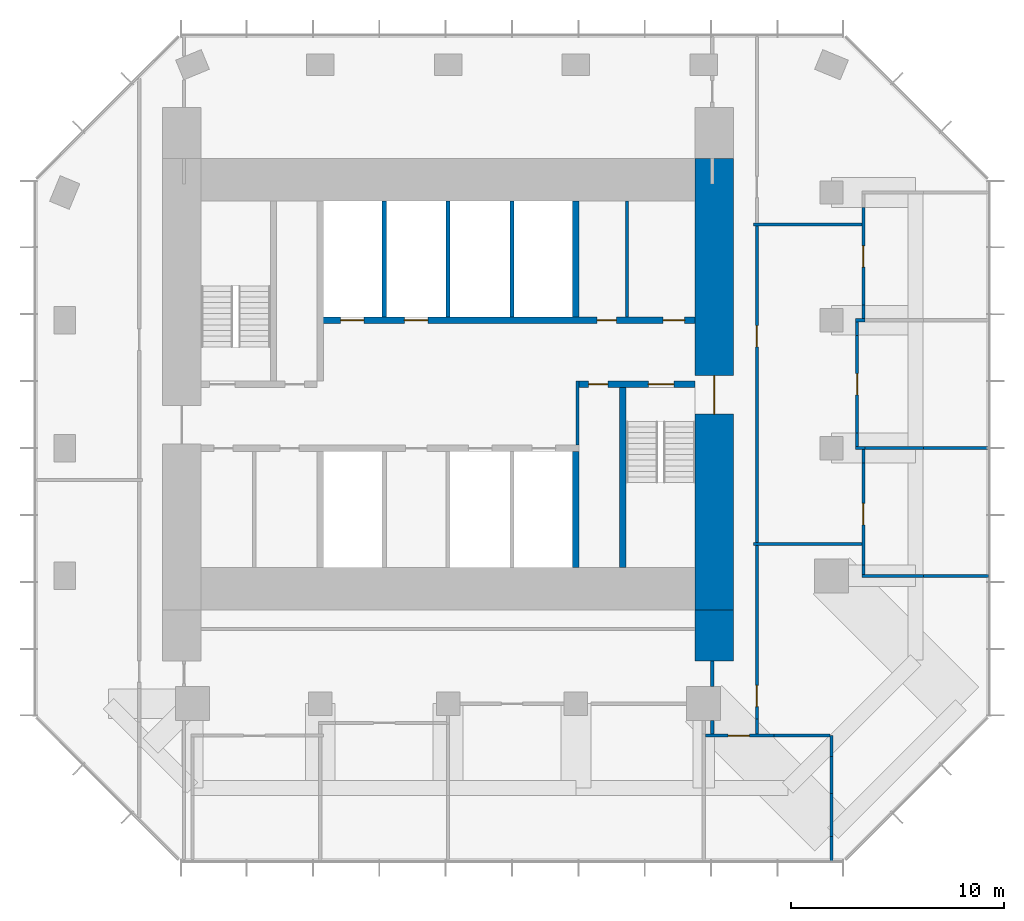
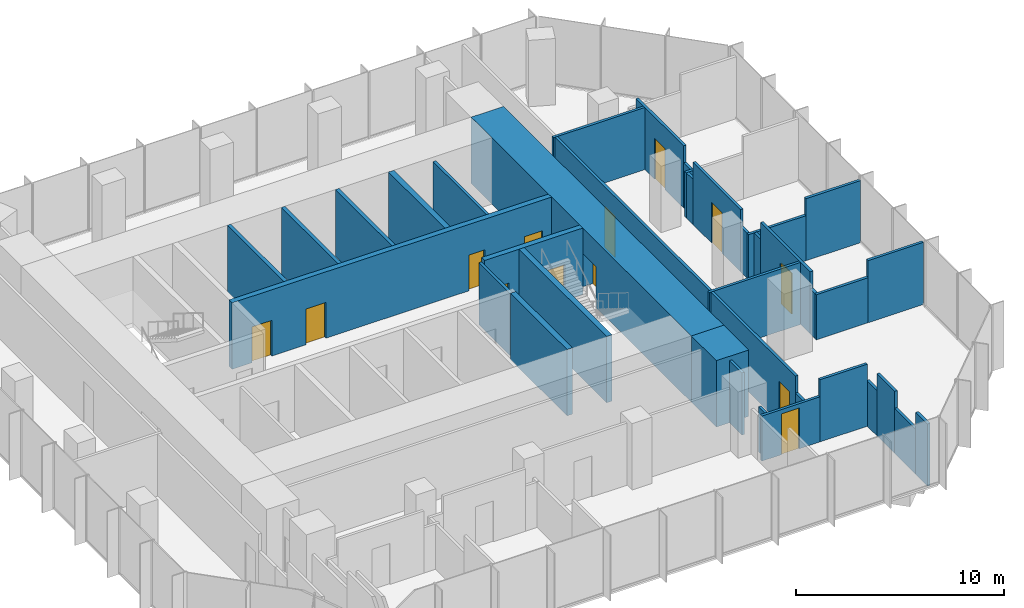
# One storey, part 9 of 11: 39 walls, 13 doors, 13 openings.
"""IFC4 building model written with IfcOpenShell, lengths in metres."""

from ifc_helpers import new_model, si_unit, direction, frame, frame_2d, origin, place, context, subcontext, project, spatial, rectangle, extrude, material, layer, layer_set, type_object, element, fill, save


model = new_model("IFC4")

# Units and contexts
model_context = context("Model", 3, precision=1e-05, world=origin(), true_north=direction((0.0, 1.0)))
body_context = subcontext(model_context, "Body", "Model", "MODEL_VIEW")
ifc_project = project(units=[si_unit("LENGTHUNIT", "METRE"), si_unit("AREAUNIT", "SQUARE_METRE"), si_unit("VOLUMEUNIT", "CUBIC_METRE"), si_unit("PLANEANGLEUNIT", "RADIAN"), si_unit("MASSUNIT", "GRAM", prefix="KILO")], contexts=[model_context])

# Site, building, storey
site_placement = place(None, origin())
site = spatial("IfcSite", under=ifc_project, at=site_placement, CompositionType="ELEMENT")
building_placement = place(site_placement, origin())
building = spatial("IfcBuilding", under=site, at=building_placement, Name="Highveld Stack Headquarters", CompositionType="ELEMENT")
storey_placement = place(building_placement, frame((0.0, 0.0, 280.10009765625)))
storey = spatial("IfcBuildingStorey", under=building, at=storey_placement, Name="L69", CompositionType="ELEMENT", Elevation=280.10009765625)

# Wall, opening, door
ifc_material_1 = material(Name="Concrete C60/75", Category="concrete")
ifc_layer_1 = layer(ifc_material_1, 1.800048828125)
ifc_layer_set_1 = layer_set([ifc_layer_1], Name="Concrete C60/75")
wall_type_1 = type_object("IfcWallType", Name="CORE WALL 1800 C60/75", PredefinedType="SHEAR", material=ifc_layer_set_1)
wall_1_placement = place(storey_placement, frame((18.5, -7.60009765625, 0.0), z_axis=(0.0, 0.0, 1.0), x_axis=(0.0, 1.0, 0.0)))
wall_1 = element("IfcWall", 1, at=wall_1_placement, inside=storey, type_object=wall_type_1, Name="Core wall E L69", PredefinedType="SHEAR", context=body_context, shape_type="SweptSolid", body=[
    extrude(rectangle(XDim=21.2001953125, YDim=1.800048828125, at=frame_2d((10.60009765625, 0.0))), origin(), (0.0, 0.0, 1.0), 3.89990234375),
])
opening_1_placement = place(wall_1_placement, frame((9.199951171875, 0.0, 0.0)))
opening_1 = element("IfcOpeningElement", 2, at=opening_1_placement, cuts=wall_1, Name="Opening L69-02", PredefinedType="OPENING", context=body_context, shape_type="SweptSolid", body=[
    extrude(rectangle(XDim=1.800048828125, YDim=2.39990234375, at=frame_2d((0.89990234375, 1.199951171875))), frame((0.0, 0.909912109375, 0.0), z_axis=(0.0, -1.0, 0.0), x_axis=(1.0, 0.0, 0.0)), (0.0, 0.0, 1.0), 1.820068359375),
])
ifc_material_2 = material(Name="Steel fire door", Category="steel")
door_type_1 = type_object("IfcDoorType", Name="LOBBY FIRE DOOR D4 1800x2400", OperationType="DOUBLE_DOOR_SINGLE_SWING", PredefinedType="DOOR", material=ifc_material_2)
door_1_placement = place(opening_1_placement, origin())
door_1 = element("IfcDoor", 3, at=door_1_placement, inside=storey, type_object=door_type_1, Name="Core east door L69", OperationType="DOUBLE_DOOR_SINGLE_SWING", OverallHeight=2.39990234375, OverallWidth=1.800048828125, PredefinedType="DOOR", context=body_context, shape_type="SweptSolid", body=[
    extrude(rectangle(XDim=1.800048828125, YDim=2.39990234375, at=frame_2d((0.89990234375, 1.199951171875))), frame((0.0, 0.02490234375, 0.0), z_axis=(0.0, -1.0, 0.0), x_axis=(1.0, 0.0, 0.0)), (0.0, 0.0, 1.0), 0.050048828125),
])
fill(opening_1, door_1)

# Wall, openings, doors
ifc_material_3 = material(Name="Concrete C60/75", Category="concrete")
ifc_layer_2 = layer(ifc_material_3, 0.300048828125)
ifc_layer_set_2 = layer_set([ifc_layer_2], Name="Concrete C60/75")
wall_type_2 = type_object("IfcWallType", Name="CORE WALL 300 C60/75", PredefinedType="SHEAR", material=ifc_layer_set_2)
wall_2_placement = place(storey_placement, frame((12.14990234375, 3.0, 0.0), z_axis=(0.0, 0.0, 1.0), x_axis=(1.0, 0.0, 0.0)))
wall_2 = element("IfcWall", 4, at=wall_2_placement, inside=storey, type_object=wall_type_2, Name="Core wall I-Y3E L69", PredefinedType="SHEAR", context=body_context, shape_type="SweptSolid", body=[
    extrude(rectangle(XDim=5.4501953125, YDim=0.300048828125, at=frame_2d((2.72509765625, 0.0))), origin(), (0.0, 0.0, 1.0), 3.89990234375),
])
opening_2_placement = place(wall_2_placement, frame((3.25, 0.0, 0.0)))
opening_2 = element("IfcOpeningElement", 5, at=opening_2_placement, cuts=wall_2, Name="Opening L69-05", PredefinedType="OPENING", context=body_context, shape_type="SweptSolid", body=[
    extrude(rectangle(XDim=1.199951171875, YDim=2.10009765625, at=frame_2d((0.60009765625, 1.050048828125))), frame((0.0, 0.159912109375, 0.0), z_axis=(0.0, -1.0, 0.0), x_axis=(1.0, 0.0, 0.0)), (0.0, 0.0, 1.0), 0.320068359375),
])
opening_3_placement = place(wall_2_placement, frame((0.449951171875, 0.0, 0.0)))
opening_3 = element("IfcOpeningElement", 6, at=opening_3_placement, cuts=wall_2, Name="Opening L69-06", PredefinedType="OPENING", context=body_context, shape_type="SweptSolid", body=[
    extrude(rectangle(XDim=0.89990234375, YDim=2.10009765625, at=frame_2d((0.449951171875, 1.050048828125))), frame((0.0, 0.159912109375, 0.0), z_axis=(0.0, -1.0, 0.0), x_axis=(1.0, 0.0, 0.0)), (0.0, 0.0, 1.0), 0.320068359375),
])
ifc_material_4 = material(Name="Steel fire door", Category="steel")
door_type_2 = type_object("IfcDoorType", Name="RISER ACCESS DOOR D5 900x2100", OperationType="SINGLE_SWING_LEFT", PredefinedType="DOOR", material=ifc_material_4)
door_2_placement = place(opening_3_placement, origin())
door_2 = element("IfcDoor", 7, at=door_2_placement, inside=storey, type_object=door_type_2, Name="Riser R2 door L69", OperationType="SINGLE_SWING_LEFT", OverallHeight=2.10009765625, OverallWidth=0.89990234375, PredefinedType="DOOR", context=body_context, shape_type="SweptSolid", body=[
    extrude(rectangle(XDim=0.89990234375, YDim=2.10009765625, at=frame_2d((0.449951171875, 1.050048828125))), frame((0.0, 0.02490234375, 0.0), z_axis=(0.0, -1.0, 0.0), x_axis=(1.0, 0.0, 0.0)), (0.0, 0.0, 1.0), 0.050048828125),
])
fill(opening_3, door_2)
ifc_material_5 = material(Name="Steel fire door", Category="steel")
door_type_3 = type_object("IfcDoorType", Name="STAIR FIRE DOOR D3 1200x2100", OperationType="SINGLE_SWING_LEFT", PredefinedType="DOOR", material=ifc_material_5)
door_3_placement = place(opening_2_placement, origin())
door_3 = element("IfcDoor", 8, at=door_3_placement, inside=storey, type_object=door_type_3, Name="Stair S2 door L69", OperationType="SINGLE_SWING_RIGHT", OverallHeight=2.10009765625, OverallWidth=1.199951171875, PredefinedType="DOOR", context=body_context, shape_type="SweptSolid", body=[
    extrude(rectangle(XDim=1.199951171875, YDim=2.10009765625, at=frame_2d((0.60009765625, 1.050048828125))), frame((0.0, 0.02490234375, 0.0), z_axis=(0.0, -1.0, 0.0), x_axis=(1.0, 0.0, 0.0)), (0.0, 0.0, 1.0), 0.050048828125),
])
fill(opening_2, door_3)

wall_3_placement = place(storey_placement, frame((-0.14990234375, 6.0, 0.0), z_axis=(0.0, 0.0, 1.0), x_axis=(1.0, 0.0, 0.0)))
wall_3 = element("IfcWall", 9, at=wall_3_placement, inside=storey, type_object=wall_type_2, Name="Core wall I-Y6 L69", PredefinedType="SHEAR", context=body_context, shape_type="SweptSolid", body=[
    extrude(rectangle(XDim=17.75, YDim=0.300048828125, at=frame_2d((8.875, 0.0))), origin(), (0.0, 0.0, 1.0), 3.89990234375),
])
opening_4_placement = place(wall_3_placement, frame((13.14990234375, 0.0, 0.0)))
opening_4 = element("IfcOpeningElement", 10, at=opening_4_placement, cuts=wall_3, Name="Opening L69-09", PredefinedType="OPENING", context=body_context, shape_type="SweptSolid", body=[
    extrude(rectangle(XDim=0.89990234375, YDim=2.10009765625, at=frame_2d((0.449951171875, 1.050048828125))), frame((0.0, 0.159912109375, 0.0), z_axis=(0.0, -1.0, 0.0), x_axis=(1.0, 0.0, 0.0)), (0.0, 0.0, 1.0), 0.320068359375),
])
opening_5_placement = place(wall_3_placement, frame((16.25, 0.0, 0.0)))
opening_5 = element("IfcOpeningElement", 11, at=opening_5_placement, cuts=wall_3, Name="Opening L69-10", PredefinedType="OPENING", context=body_context, shape_type="SweptSolid", body=[
    extrude(rectangle(XDim=1.0, YDim=2.10009765625, at=frame_2d((0.5, 1.050048828125))), frame((0.0, 0.159912109375, 0.0), z_axis=(0.0, -1.0, 0.0), x_axis=(1.0, 0.0, 0.0)), (0.0, 0.0, 1.0), 0.320068359375),
])
opening_6_placement = place(wall_3_placement, frame((1.10009765625, 0.0, 0.0)))
opening_6 = element("IfcOpeningElement", 12, at=opening_6_placement, cuts=wall_3, Name="Opening LD", PredefinedType="OPENING", context=body_context, shape_type="SweptSolid", body=[
    extrude(rectangle(XDim=1.10009765625, YDim=2.10009765625, at=frame_2d((0.550048828125, 1.050048828125))), frame((0.0, 0.159912109375, 0.0), z_axis=(0.0, -1.0, 0.0), x_axis=(1.0, 0.0, 0.0)), (0.0, 0.0, 1.0), 0.320068359375),
])
opening_7_placement = place(wall_3_placement, frame((4.10009765625, 0.0, 0.0)))
opening_7 = element("IfcOpeningElement", 13, at=opening_7_placement, cuts=wall_3, Name="Opening LD", PredefinedType="OPENING", context=body_context, shape_type="SweptSolid", body=[
    extrude(rectangle(XDim=1.10009765625, YDim=2.10009765625, at=frame_2d((0.550048828125, 1.050048828125))), frame((0.0, 0.159912109375, 0.0), z_axis=(0.0, -1.0, 0.0), x_axis=(1.0, 0.0, 0.0)), (0.0, 0.0, 1.0), 0.320068359375),
])
ifc_material_6 = material(Name="Timber door, painted", Category="wood")
door_type_4 = type_object("IfcDoorType", Name="ACCESSIBLE WC DOOR D2 1000x2100", OperationType="SINGLE_SWING_RIGHT", PredefinedType="DOOR", material=ifc_material_6)
door_4_placement = place(opening_5_placement, origin())
door_4 = element("IfcDoor", 14, at=door_4_placement, inside=storey, type_object=door_type_4, Name="Accessible WC door L69", OperationType="SINGLE_SWING_RIGHT", OverallHeight=2.10009765625, OverallWidth=1.0, PredefinedType="DOOR", context=body_context, shape_type="SweptSolid", body=[
    extrude(rectangle(XDim=1.0, YDim=2.10009765625, at=frame_2d((0.5, 1.050048828125))), frame((0.0, 0.02490234375, 0.0), z_axis=(0.0, -1.0, 0.0), x_axis=(1.0, 0.0, 0.0)), (0.0, 0.0, 1.0), 0.050048828125),
])
fill(opening_5, door_4)
ifc_material_7 = material(Name="Stainless steel lift landing door", Category="steel")
door_type_5 = type_object("IfcDoorType", Name="LIFT LANDING DOOR LD 1100x2100", OperationType="DOUBLE_DOOR_SLIDING", PredefinedType="USERDEFINED", material=ifc_material_7)
door_5_placement = place(opening_6_placement, origin())
door_5 = element("IfcDoor", 15, at=door_5_placement, inside=storey, type_object=door_type_5, Name="Lift landing door FF1 L69", ObjectType="LIFT LANDING DOOR", OperationType="DOUBLE_DOOR_SLIDING", OverallHeight=2.10009765625, OverallWidth=1.10009765625, PredefinedType="USERDEFINED", context=body_context, shape_type="SweptSolid", body=[
    extrude(rectangle(XDim=1.10009765625, YDim=2.10009765625, at=frame_2d((0.550048828125, 1.050048828125))), frame((0.0, 0.02490234375, 0.0), z_axis=(0.0, -1.0, 0.0), x_axis=(1.0, 0.0, 0.0)), (0.0, 0.0, 1.0), 0.050048828125),
])
fill(opening_6, door_5)
door_6_placement = place(opening_7_placement, origin())
door_6 = element("IfcDoor", 16, at=door_6_placement, inside=storey, type_object=door_type_5, Name="Lift landing door FF2 L69", ObjectType="LIFT LANDING DOOR", OperationType="DOUBLE_DOOR_SLIDING", OverallHeight=2.10009765625, OverallWidth=1.10009765625, PredefinedType="USERDEFINED", context=body_context, shape_type="SweptSolid", body=[
    extrude(rectangle(XDim=1.10009765625, YDim=2.10009765625, at=frame_2d((0.550048828125, 1.050048828125))), frame((0.0, 0.02490234375, 0.0), z_axis=(0.0, -1.0, 0.0), x_axis=(1.0, 0.0, 0.0)), (0.0, 0.0, 1.0), 0.050048828125),
])
fill(opening_7, door_6)
ifc_material_8 = material(Name="Timber door, painted", Category="wood")
door_type_6 = type_object("IfcDoorType", Name="WC DOOR D1 900x2100", OperationType="SINGLE_SWING_LEFT", PredefinedType="DOOR", material=ifc_material_8)
door_7_placement = place(opening_4_placement, origin())
door_7 = element("IfcDoor", 17, at=door_7_placement, inside=storey, type_object=door_type_6, Name="Male WC door L69", OperationType="SINGLE_SWING_RIGHT", OverallHeight=2.10009765625, OverallWidth=0.89990234375, PredefinedType="DOOR", context=body_context, shape_type="SweptSolid", body=[
    extrude(rectangle(XDim=0.89990234375, YDim=2.10009765625, at=frame_2d((0.449951171875, 1.050048828125))), frame((0.0, 0.02490234375, 0.0), z_axis=(0.0, -1.0, 0.0), x_axis=(1.0, 0.0, 0.0)), (0.0, 0.0, 1.0), 0.050048828125),
])
fill(opening_4, door_7)

# Walls
for number, where, z_axis, x_axis, name in (
    (18, (12.0, -5.60009765625, 0.0), (0.0, 0.0, 1.0), (0.0, 1.0, 0.0), "Core wall I-X12S L69"),
    (19, (12.0, 6.14990234375, 0.0), (0.0, 0.0, 1.0), (0.0, 1.0, 0.0), "Core wall I-X12N L69"),
):
    element("IfcWall", number, at=place(storey_placement, frame(where, z_axis=z_axis, x_axis=x_axis)), inside=storey, type_object=wall_type_2, Name=name, PredefinedType="SHEAR", context=body_context, shape_type="SweptSolid", body=[
        extrude(rectangle(XDim=5.4501953125, YDim=0.300048828125, at=frame_2d((2.72509765625, 0.0))), origin(), (0.0, 0.0, 1.0), 3.89990234375),
    ])
wall_4_placement = place(storey_placement, frame((14.199951171875, -5.60009765625, 0.0), z_axis=(0.0, 0.0, 1.0), x_axis=(0.0, 1.0, 0.0)))
element("IfcWall", 20, at=wall_4_placement, inside=storey, type_object=wall_type_2, Name="Core wall I-RE L69", PredefinedType="SHEAR", context=body_context, shape_type="SweptSolid", body=[
    extrude(rectangle(XDim=8.4501953125, YDim=0.300048828125, at=frame_2d((4.22509765625, 0.0))), origin(), (0.0, 0.0, 1.0), 3.89990234375),
])
ifc_material_9 = material(Name="Concrete C60/75", Category="concrete")
ifc_layer_3 = layer(ifc_material_9, 1.800048828125)
ifc_layer_set_3 = layer_set([ifc_layer_3], Name="Concrete C60/75")
wall_type_3 = type_object("IfcWallType", Name="CORE WING WALL 1800 C60/75", PredefinedType="SHEAR", material=ifc_layer_set_3)
wall_5_placement = place(storey_placement, frame((18.5, -10.0, 0.0), z_axis=(0.0, 0.0, 1.0), x_axis=(0.0, 1.0, 0.0)))
element("IfcWall", 21, at=wall_5_placement, inside=storey, type_object=wall_type_3, Name="Core wing wall ES L69", PredefinedType="SHEAR", context=body_context, shape_type="SweptSolid", body=[
    extrude(rectangle(XDim=2.39990234375, YDim=1.800048828125, at=frame_2d((1.199951171875, 0.0))), origin(), (0.0, 0.0, 1.0), 3.89990234375),
])
ifc_material_10 = material(Name="Concrete blockwork, plastered", Category="masonry")
ifc_layer_4 = layer(ifc_material_10, 0.14990234375)
ifc_layer_set_4 = layer_set([ifc_layer_4], Name="Concrete blockwork, plastered")
wall_type_4 = type_object("IfcWallType", Name="FIRE PARTITION 150 BLOCKWORK", PredefinedType="PARTITIONING", material=ifc_layer_set_4)
wall_6_placement = place(storey_placement, frame((12.074951171875, 0.14990234375, 0.0), z_axis=(0.0, 0.0, 1.0), x_axis=(0.0, 1.0, 0.0)))
element("IfcWall", 22, at=wall_6_placement, inside=storey, type_object=wall_type_4, Name="Riser R2 enclosure L69", PredefinedType="PARTITIONING", context=body_context, shape_type="SweptSolid", body=[
    extrude(rectangle(XDim=3.0, YDim=0.14990234375, at=frame_2d((1.5, 0.0))), origin(), (0.0, 0.0, 1.0), 3.64990234375),
])
ifc_material_11 = material(Name="Concrete blockwork, fair-faced", Category="masonry")
ifc_layer_5 = layer(ifc_material_11, 0.199951171875)
ifc_layer_set_5 = layer_set([ifc_layer_5], Name="Concrete blockwork, fair-faced")
wall_type_5 = type_object("IfcWallType", Name="LIFT SHAFT ENCLOSURE WALL 200 BLOCKWORK", PredefinedType="SOLIDWALL", material=ifc_layer_set_5)
for number, where, z_axis, x_axis, name in (
    (23, (3.0, 6.14990234375, 0.0), (0.0, 0.0, 1.0), (0.0, 1.0, 0.0), "Lift shaft wall L69"),
    (24, (6.0, 6.14990234375, 0.0), (0.0, 0.0, 1.0), (0.0, 1.0, 0.0), "Lift shaft wall L69"),
    (25, (9.0, 6.14990234375, 0.0), (0.0, 0.0, 1.0), (0.0, 1.0, 0.0), "Lift shaft wall L69"),
):
    element("IfcWall", number, at=place(storey_placement, frame(where, z_axis=z_axis, x_axis=x_axis)), inside=storey, type_object=wall_type_5, Name=name, PredefinedType="SOLIDWALL", context=body_context, shape_type="SweptSolid", body=[
        extrude(rectangle(XDim=5.4501953125, YDim=0.199951171875, at=frame_2d((2.72509765625, 0.0))), origin(), (0.0, 0.0, 1.0), 3.89990234375),
    ])

# Wall, opening, door
ifc_material_12 = material(Name="Gypsum plasterboard on steel studs", Category="steel")
ifc_layer_6 = layer(ifc_material_12, 0.14990234375)
ifc_layer_set_6 = layer_set([ifc_layer_6], Name="Gypsum plasterboard on steel studs")
wall_type_6 = type_object("IfcWallType", Name="PARTITION 150 PLASTERBOARD", PredefinedType="PARTITIONING", material=ifc_layer_set_6)
wall_7_placement = place(storey_placement, frame((18.074951171875, -13.5, 0.0), z_axis=(0.0, 0.0, 1.0), x_axis=(1.0, 0.0, 0.0)))
wall_7 = element("IfcWall", 26, at=wall_7_placement, inside=storey, type_object=wall_type_6, Name="Partition Quiet room L69", PredefinedType="PARTITIONING", context=body_context, shape_type="SweptSolid", body=[
    extrude(rectangle(XDim=3.217041015625, YDim=0.14990234375, at=frame_2d((1.6083984375, 0.0))), origin(), (0.0, 0.0, 1.0), 2.64990234375),
])
opening_8_placement = place(wall_7_placement, frame((1.071044921875, 0.0, 0.0)))
opening_8 = element("IfcOpeningElement", 27, at=opening_8_placement, cuts=wall_7, Name="Opening L69-15", PredefinedType="OPENING", context=body_context, shape_type="SweptSolid", body=[
    extrude(rectangle(XDim=1.0, YDim=2.39990234375, at=frame_2d((0.5, 1.199951171875))), frame((0.0, 0.0849609375, 0.0), z_axis=(0.0, -1.0, 0.0), x_axis=(1.0, 0.0, 0.0)), (0.0, 0.0, 1.0), 0.169921875),
])
ifc_material_13 = material(Name="Timber door, oiled ash", Category="wood")
door_type_7 = type_object("IfcDoorType", Name="ROOM DOOR D11 1000x2400", OperationType="SINGLE_SWING_LEFT", PredefinedType="DOOR", material=ifc_material_13)
door_8_placement = place(opening_8_placement, origin())
door_8 = element("IfcDoor", 28, at=door_8_placement, inside=storey, type_object=door_type_7, Name="Quiet room door 1 L69", OperationType="SINGLE_SWING_LEFT", OverallHeight=2.39990234375, OverallWidth=1.0, PredefinedType="DOOR", context=body_context, shape_type="SweptSolid", body=[
    extrude(rectangle(XDim=1.0, YDim=2.39990234375, at=frame_2d((0.5, 1.199951171875))), frame((0.0, 0.02490234375, 0.0), z_axis=(0.0, -1.0, 0.0), x_axis=(1.0, 0.0, 0.0)), (0.0, 0.0, 1.0), 0.050048828125),
])
fill(opening_8, door_8)

# Walls
wall_8_placement = place(storey_placement, frame((21.2919921875, -13.5, 0.0), z_axis=(0.0, 0.0, 1.0), x_axis=(1.0, 0.0, 0.0)))
element("IfcWall", 29, at=wall_8_placement, inside=storey, type_object=wall_type_6, Name="Partition Quiet room L69", PredefinedType="PARTITIONING", context=body_context, shape_type="SweptSolid", body=[
    extrude(rectangle(XDim=2.64306640625, YDim=0.14990234375, at=frame_2d((1.321533203125, 0.0))), origin(), (0.0, 0.0, 1.0), 3.64990234375),
])
wall_9_placement = place(storey_placement, frame((25.425048828125, -6.0, 0.0), z_axis=(0.0, 0.0, 1.0), x_axis=(1.0, 0.0, 0.0)))
element("IfcWall", 30, at=wall_9_placement, inside=storey, type_object=wall_type_6, Name="Partition Quiet room L69", PredefinedType="PARTITIONING", context=body_context, shape_type="SweptSolid", body=[
    extrude(rectangle(XDim=2.885009765625, YDim=0.14990234375, at=frame_2d((1.4423828125, 0.0))), origin(), (0.0, 0.0, 1.0), 2.64990234375),
])
wall_10_placement = place(storey_placement, frame((28.31005859375, -6.0, 0.0), z_axis=(0.0, 0.0, 1.0), x_axis=(1.0, 0.0, 0.0)))
element("IfcWall", 31, at=wall_10_placement, inside=storey, type_object=wall_type_6, Name="Partition Quiet room L69", PredefinedType="PARTITIONING", context=body_context, shape_type="SweptSolid", body=[
    extrude(rectangle(XDim=3.06494140625, YDim=0.14990234375, at=frame_2d((1.532470703125, 0.0))), origin(), (0.0, 0.0, 1.0), 3.64990234375),
])
wall_11_placement = place(storey_placement, frame((25.125, 0.0, 0.0), z_axis=(0.0, 0.0, 1.0), x_axis=(1.0, 0.0, 0.0)))
element("IfcWall", 32, at=wall_11_placement, inside=storey, type_object=wall_type_6, Name="Partition Tea kitchen L69", PredefinedType="PARTITIONING", context=body_context, shape_type="SweptSolid", body=[
    extrude(rectangle(XDim=0.449951171875, YDim=0.14990234375, at=frame_2d((0.22509765625, 0.0))), origin(), (0.0, 0.0, 1.0), 2.64990234375),
])
wall_12_placement = place(storey_placement, frame((25.5, 0.0, 0.0), z_axis=(0.0, 0.0, 1.0), x_axis=(1.0, 0.0, 0.0)))
element("IfcWall", 33, at=wall_12_placement, inside=storey, type_object=wall_type_6, Name="Partition Quiet room / Tea kitchen L69", PredefinedType="PARTITIONING", context=body_context, shape_type="SweptSolid", body=[
    extrude(rectangle(XDim=2.81005859375, YDim=0.14990234375, at=frame_2d((1.405029296875, 0.0))), origin(), (0.0, 0.0, 1.0), 2.64990234375),
])
wall_13_placement = place(storey_placement, frame((28.31005859375, 0.0, 0.0), z_axis=(0.0, 0.0, 1.0), x_axis=(1.0, 0.0, 0.0)))
element("IfcWall", 34, at=wall_13_placement, inside=storey, type_object=wall_type_6, Name="Partition Quiet room / Tea kitchen L69", PredefinedType="PARTITIONING", context=body_context, shape_type="SweptSolid", body=[
    extrude(rectangle(XDim=3.0400390625, YDim=0.14990234375, at=frame_2d((1.52001953125, 0.0))), origin(), (0.0, 0.0, 1.0), 3.64990234375),
])
wall_14_placement = place(storey_placement, frame((25.125, 6.0, 0.0), z_axis=(0.0, 0.0, 1.0), x_axis=(1.0, 0.0, 0.0)))
element("IfcWall", 35, at=wall_14_placement, inside=storey, type_object=wall_type_6, Name="Partition Tea kitchen L69", PredefinedType="PARTITIONING", context=body_context, shape_type="SweptSolid", body=[
    extrude(rectangle(XDim=0.449951171875, YDim=0.14990234375, at=frame_2d((0.22509765625, 0.0))), origin(), (0.0, 0.0, 1.0), 2.64990234375),
])
wall_15_placement = place(storey_placement, frame((24.0, -19.375, 0.0), z_axis=(0.0, 0.0, 1.0), x_axis=(0.0, 1.0, 0.0)))
element("IfcWall", 36, at=wall_15_placement, inside=storey, type_object=wall_type_6, Name="Partition Quiet room L69", PredefinedType="PARTITIONING", context=body_context, shape_type="SweptSolid", body=[
    extrude(rectangle(XDim=1.137939453125, YDim=0.14990234375, at=frame_2d((0.56884765625, 0.0))), origin(), (0.0, 0.0, 1.0), 3.64990234375),
])
wall_16_placement = place(storey_placement, frame((24.0, -18.237060546875, 0.0), z_axis=(0.0, 0.0, 1.0), x_axis=(0.0, 1.0, 0.0)))
element("IfcWall", 37, at=wall_16_placement, inside=storey, type_object=wall_type_6, Name="Partition Quiet room L69", PredefinedType="PARTITIONING", context=body_context, shape_type="SweptSolid", body=[
    extrude(rectangle(XDim=2.029052734375, YDim=0.14990234375, at=frame_2d((1.0146484375, 0.0))), origin(), (0.0, 0.0, 1.0), 2.64990234375),
])
wall_17_placement = place(storey_placement, frame((24.0, -16.2080078125, 0.0), z_axis=(0.0, 0.0, 1.0), x_axis=(0.0, 1.0, 0.0)))
element("IfcWall", 38, at=wall_17_placement, inside=storey, type_object=wall_type_6, Name="Partition Quiet room L69", PredefinedType="PARTITIONING", context=body_context, shape_type="SweptSolid", body=[
    extrude(rectangle(XDim=1.718017578125, YDim=0.14990234375, at=frame_2d((0.85888671875, 0.0))), origin(), (0.0, 0.0, 1.0), 3.64990234375),
])
wall_18_placement = place(storey_placement, frame((24.0, -14.489990234375, 0.0), z_axis=(0.0, 0.0, 1.0), x_axis=(0.0, 1.0, 0.0)))
element("IfcWall", 39, at=wall_18_placement, inside=storey, type_object=wall_type_6, Name="Partition Quiet room L69", PredefinedType="PARTITIONING", context=body_context, shape_type="SweptSolid", body=[
    extrude(rectangle(XDim=0.989990234375, YDim=0.14990234375, at=frame_2d((0.4951171875, 0.0))), origin(), (0.0, 0.0, 1.0), 2.64990234375),
])
wall_19_placement = place(storey_placement, frame((25.199951171875, 0.074951171875, 0.0), z_axis=(0.0, 0.0, 1.0), x_axis=(0.0, 1.0, 0.0)))
element("IfcWall", 40, at=wall_19_placement, inside=storey, type_object=wall_type_6, Name="Partition Tea kitchen L69", PredefinedType="PARTITIONING", context=body_context, shape_type="SweptSolid", body=[
    extrude(rectangle(XDim=0.635009765625, YDim=0.14990234375, at=frame_2d((0.3173828125, 0.0))), origin(), (0.0, 0.0, 1.0), 2.64990234375),
])

# Wall, opening, door
wall_20_placement = place(storey_placement, frame((25.199951171875, 0.7099609375, 0.0), z_axis=(0.0, 0.0, 1.0), x_axis=(0.0, 1.0, 0.0)))
wall_20 = element("IfcWall", 41, at=wall_20_placement, inside=storey, type_object=wall_type_6, Name="Partition Tea kitchen L69", PredefinedType="PARTITIONING", context=body_context, shape_type="SweptSolid", body=[
    extrude(rectangle(XDim=4.580078125, YDim=0.14990234375, at=frame_2d((2.2900390625, 0.0))), origin(), (0.0, 0.0, 1.0), 3.64990234375),
])
opening_9_placement = place(wall_20_placement, frame((1.7900390625, 0.0, 0.0)))
opening_9 = element("IfcOpeningElement", 42, at=opening_9_placement, cuts=wall_20, Name="Opening L69-17", PredefinedType="OPENING", context=body_context, shape_type="SweptSolid", body=[
    extrude(rectangle(XDim=1.0, YDim=2.39990234375, at=frame_2d((0.5, 1.199951171875))), frame((0.0, 0.0849609375, 0.0), z_axis=(0.0, -1.0, 0.0), x_axis=(1.0, 0.0, 0.0)), (0.0, 0.0, 1.0), 0.169921875),
])
door_9_placement = place(opening_9_placement, origin())
door_9 = element("IfcDoor", 43, at=door_9_placement, inside=storey, type_object=door_type_7, Name="Tea kitchen door 1 L69", OperationType="SINGLE_SWING_RIGHT", OverallHeight=2.39990234375, OverallWidth=1.0, PredefinedType="DOOR", context=body_context, shape_type="SweptSolid", body=[
    extrude(rectangle(XDim=1.0, YDim=2.39990234375, at=frame_2d((0.5, 1.199951171875))), frame((0.0, 0.02490234375, 0.0), z_axis=(0.0, -1.0, 0.0), x_axis=(1.0, 0.0, 0.0)), (0.0, 0.0, 1.0), 0.050048828125),
])
fill(opening_9, door_9)

# Walls
wall_21_placement = place(storey_placement, frame((25.199951171875, 5.2900390625, 0.0), z_axis=(0.0, 0.0, 1.0), x_axis=(0.0, 1.0, 0.0)))
element("IfcWall", 44, at=wall_21_placement, inside=storey, type_object=wall_type_6, Name="Partition Tea kitchen L69", PredefinedType="PARTITIONING", context=body_context, shape_type="SweptSolid", body=[
    extrude(rectangle(XDim=0.635009765625, YDim=0.14990234375, at=frame_2d((0.3173828125, 0.0))), origin(), (0.0, 0.0, 1.0), 2.64990234375),
])
wall_22_placement = place(storey_placement, frame((25.5, -5.925048828125, 0.0), z_axis=(0.0, 0.0, 1.0), x_axis=(0.0, 1.0, 0.0)))
element("IfcWall", 45, at=wall_22_placement, inside=storey, type_object=wall_type_6, Name="Partition Quiet room L69", PredefinedType="PARTITIONING", context=body_context, shape_type="SweptSolid", body=[
    extrude(rectangle(XDim=0.43505859375, YDim=0.14990234375, at=frame_2d((0.217529296875, 0.0))), origin(), (0.0, 0.0, 1.0), 2.64990234375),
])

# Wall, opening, door
wall_23_placement = place(storey_placement, frame((25.5, -5.489990234375, 0.0), z_axis=(0.0, 0.0, 1.0), x_axis=(0.0, 1.0, 0.0)))
wall_23 = element("IfcWall", 46, at=wall_23_placement, inside=storey, type_object=wall_type_6, Name="Partition Quiet room L69", PredefinedType="PARTITIONING", context=body_context, shape_type="SweptSolid", body=[
    extrude(rectangle(XDim=4.780029296875, YDim=0.14990234375, at=frame_2d((2.39013671875, 0.0))), origin(), (0.0, 0.0, 1.0), 3.64990234375),
])
opening_10_placement = place(wall_23_placement, frame((1.889892578125, 0.0, 0.0)))
opening_10 = element("IfcOpeningElement", 47, at=opening_10_placement, cuts=wall_23, Name="Opening L69-16", PredefinedType="OPENING", context=body_context, shape_type="SweptSolid", body=[
    extrude(rectangle(XDim=1.0, YDim=2.39990234375, at=frame_2d((0.5, 1.199951171875))), frame((0.0, 0.0849609375, 0.0), z_axis=(0.0, -1.0, 0.0), x_axis=(1.0, 0.0, 0.0)), (0.0, 0.0, 1.0), 0.169921875),
])
door_10_placement = place(opening_10_placement, origin())
door_10 = element("IfcDoor", 48, at=door_10_placement, inside=storey, type_object=door_type_7, Name="Quiet room door 1 L69", OperationType="SINGLE_SWING_LEFT", OverallHeight=2.39990234375, OverallWidth=1.0, PredefinedType="DOOR", context=body_context, shape_type="SweptSolid", body=[
    extrude(rectangle(XDim=1.0, YDim=2.39990234375, at=frame_2d((0.5, 1.199951171875))), frame((0.0, 0.02490234375, 0.0), z_axis=(0.0, -1.0, 0.0), x_axis=(1.0, 0.0, 0.0)), (0.0, 0.0, 1.0), 0.050048828125),
])
fill(opening_10, door_10)

# Walls
for number, where, z_axis, x_axis, name in (
    (49, (25.5, -0.7099609375, 0.0), (0.0, 0.0, 1.0), (0.0, 1.0, 0.0), "Partition Quiet room L69"),
    (50, (25.5, 6.074951171875, 0.0), (0.0, 0.0, 1.0), (0.0, 1.0, 0.0), "Partition Quiet room L69"),
):
    element("IfcWall", number, at=place(storey_placement, frame(where, z_axis=z_axis, x_axis=x_axis)), inside=storey, type_object=wall_type_6, Name=name, PredefinedType="PARTITIONING", context=body_context, shape_type="SweptSolid", body=[
        extrude(rectangle(XDim=0.635009765625, YDim=0.14990234375, at=frame_2d((0.3173828125, 0.0))), origin(), (0.0, 0.0, 1.0), 2.64990234375),
    ])

# Wall, opening, door
wall_24_placement = place(storey_placement, frame((25.5, 6.7099609375, 0.0), z_axis=(0.0, 0.0, 1.0), x_axis=(0.0, 1.0, 0.0)))
wall_24 = element("IfcWall", 51, at=wall_24_placement, inside=storey, type_object=wall_type_6, Name="Partition Quiet room L69", PredefinedType="PARTITIONING", context=body_context, shape_type="SweptSolid", body=[
    extrude(rectangle(XDim=4.580078125, YDim=0.14990234375, at=frame_2d((2.2900390625, 0.0))), origin(), (0.0, 0.0, 1.0), 3.64990234375),
])
opening_11_placement = place(wall_24_placement, frame((1.7900390625, 0.0, 0.0)))
opening_11 = element("IfcOpeningElement", 52, at=opening_11_placement, cuts=wall_24, Name="Opening L69-18", PredefinedType="OPENING", context=body_context, shape_type="SweptSolid", body=[
    extrude(rectangle(XDim=1.0, YDim=2.39990234375, at=frame_2d((0.5, 1.199951171875))), frame((0.0, 0.0849609375, 0.0), z_axis=(0.0, -1.0, 0.0), x_axis=(1.0, 0.0, 0.0)), (0.0, 0.0, 1.0), 0.169921875),
])
door_11_placement = place(opening_11_placement, origin())
door_11 = element("IfcDoor", 53, at=door_11_placement, inside=storey, type_object=door_type_7, Name="Quiet room door 1 L69", OperationType="SINGLE_SWING_LEFT", OverallHeight=2.39990234375, OverallWidth=1.0, PredefinedType="DOOR", context=body_context, shape_type="SweptSolid", body=[
    extrude(rectangle(XDim=1.0, YDim=2.39990234375, at=frame_2d((0.5, 1.199951171875))), frame((0.0, 0.02490234375, 0.0), z_axis=(0.0, -1.0, 0.0), x_axis=(1.0, 0.0, 0.0)), (0.0, 0.0, 1.0), 0.050048828125),
])
fill(opening_11, door_11)

# Walls
wall_25_placement = place(storey_placement, frame((18.39990234375, -13.425048828125, 0.0), z_axis=(0.0, 0.0, 1.0), x_axis=(0.0, 1.0, 0.0)))
element("IfcWall", 54, at=wall_25_placement, inside=storey, type_object=wall_type_6, Name="Partition office neighbourhood L69", PredefinedType="PARTITIONING", context=body_context, shape_type="SweptSolid", body=[
    extrude(rectangle(XDim=0.625, YDim=0.14990234375, at=frame_2d((0.3125, 0.0))), origin(), (0.0, 0.0, 1.0), 2.64990234375),
])
wall_26_placement = place(storey_placement, frame((18.39990234375, -11.199951171875, 0.0), z_axis=(0.0, 0.0, 1.0), x_axis=(0.0, 1.0, 0.0)))
element("IfcWall", 55, at=wall_26_placement, inside=storey, type_object=wall_type_6, Name="Partition office neighbourhood L69", PredefinedType="PARTITIONING", context=body_context, shape_type="SweptSolid", body=[
    extrude(rectangle(XDim=1.199951171875, YDim=0.14990234375, at=frame_2d((0.60009765625, 0.0))), origin(), (0.0, 0.0, 1.0), 3.64990234375),
])
wall_27_placement = place(storey_placement, frame((20.5, -13.425048828125, 0.0), z_axis=(0.0, 0.0, 1.0), x_axis=(0.0, 1.0, 0.0)))
element("IfcWall", 56, at=wall_27_placement, inside=storey, type_object=wall_type_6, Name="Partition office neighbourhood L69", PredefinedType="PARTITIONING", context=body_context, shape_type="SweptSolid", body=[
    extrude(rectangle(XDim=0.717041015625, YDim=0.14990234375, at=frame_2d((0.3583984375, 0.0))), origin(), (0.0, 0.0, 1.0), 2.64990234375),
])

# Wall, opening, door
wall_28_placement = place(storey_placement, frame((20.5, -12.7080078125, 0.0), z_axis=(0.0, 0.0, 1.0), x_axis=(0.0, 1.0, 0.0)))
wall_28 = element("IfcWall", 57, at=wall_28_placement, inside=storey, type_object=wall_type_6, Name="Partition office neighbourhood L69", PredefinedType="PARTITIONING", context=body_context, shape_type="SweptSolid", body=[
    extrude(rectangle(XDim=8.133056640625, YDim=0.14990234375, at=frame_2d((4.06640625, 0.0))), origin(), (0.0, 0.0, 1.0), 3.64990234375),
])
opening_12_placement = place(wall_28_placement, frame((0.56787109375, 0.0, 0.0)))
opening_12 = element("IfcOpeningElement", 58, at=opening_12_placement, cuts=wall_28, Name="Opening L69-23", PredefinedType="OPENING", context=body_context, shape_type="SweptSolid", body=[
    extrude(rectangle(XDim=1.0, YDim=2.39990234375, at=frame_2d((0.5, 1.199951171875))), frame((0.0, 0.0849609375, 0.0), z_axis=(0.0, -1.0, 0.0), x_axis=(1.0, 0.0, 0.0)), (0.0, 0.0, 1.0), 0.169921875),
])
door_12_placement = place(opening_12_placement, origin())
door_12 = element("IfcDoor", 59, at=door_12_placement, inside=storey, type_object=door_type_7, Name="Office neighbourhood door L69", OperationType="SINGLE_SWING_LEFT", OverallHeight=2.39990234375, OverallWidth=1.0, PredefinedType="DOOR", context=body_context, shape_type="SweptSolid", body=[
    extrude(rectangle(XDim=1.0, YDim=2.39990234375, at=frame_2d((0.5, 1.199951171875))), frame((0.0, 0.02490234375, 0.0), z_axis=(0.0, -1.0, 0.0), x_axis=(1.0, 0.0, 0.0)), (0.0, 0.0, 1.0), 0.050048828125),
])
fill(opening_12, door_12)

wall_29_placement = place(storey_placement, frame((20.5, -4.425048828125, 0.0), z_axis=(0.0, 0.0, 1.0), x_axis=(0.0, 1.0, 0.0)))
wall_29 = element("IfcWall", 60, at=wall_29_placement, inside=storey, type_object=wall_type_6, Name="Partition office neighbourhood L69", PredefinedType="PARTITIONING", context=body_context, shape_type="SweptSolid", body=[
    extrude(rectangle(XDim=14.85009765625, YDim=0.14990234375, at=frame_2d((7.425048828125, 0.0))), origin(), (0.0, 0.0, 1.0), 3.64990234375),
])
opening_13_placement = place(wall_29_placement, frame((9.175048828125, 0.0, 0.0)))
opening_13 = element("IfcOpeningElement", 61, at=opening_13_placement, cuts=wall_29, Name="Opening L69-20", PredefinedType="OPENING", context=body_context, shape_type="SweptSolid", body=[
    extrude(rectangle(XDim=1.0, YDim=2.39990234375, at=frame_2d((0.5, 1.199951171875))), frame((0.0, 0.0849609375, 0.0), z_axis=(0.0, -1.0, 0.0), x_axis=(1.0, 0.0, 0.0)), (0.0, 0.0, 1.0), 0.169921875),
])
door_13_placement = place(opening_13_placement, origin())
door_13 = element("IfcDoor", 62, at=door_13_placement, inside=storey, type_object=door_type_7, Name="Office neighbourhood door L69", OperationType="SINGLE_SWING_RIGHT", OverallHeight=2.39990234375, OverallWidth=1.0, PredefinedType="DOOR", context=body_context, shape_type="SweptSolid", body=[
    extrude(rectangle(XDim=1.0, YDim=2.39990234375, at=frame_2d((0.5, 1.199951171875))), frame((0.0, 0.02490234375, 0.0), z_axis=(0.0, -1.0, 0.0), x_axis=(1.0, 0.0, 0.0)), (0.0, 0.0, 1.0), 0.050048828125),
])
fill(opening_13, door_13)

# Walls
for number, where, z_axis, x_axis, name in (
    (63, (20.35009765625, -4.5, 0.0), (0.0, 0.0, 1.0), (1.0, 0.0, 0.0), "Partition office neighbourhood L69"),
    (64, (20.35009765625, 10.5, 0.0), (0.0, 0.0, 1.0), (1.0, 0.0, 0.0), "Partition office neighbourhood L69"),
):
    element("IfcWall", number, at=place(storey_placement, frame(where, z_axis=z_axis, x_axis=x_axis)), inside=storey, type_object=wall_type_6, Name=name, PredefinedType="PARTITIONING", context=body_context, shape_type="SweptSolid", body=[
        extrude(rectangle(XDim=5.074951171875, YDim=0.14990234375, at=frame_2d((2.53759765625, 0.0))), origin(), (0.0, 0.0, 1.0), 3.64990234375),
    ])
ifc_material_14 = material(Name="Concrete blockwork, tiled", Category="masonry")
ifc_layer_7 = layer(ifc_material_14, 0.14990234375)
ifc_layer_set_7 = layer_set([ifc_layer_7], Name="Concrete blockwork, tiled")
wall_type_7 = type_object("IfcWallType", Name="WC PARTITION 150", PredefinedType="PLUMBINGWALL", material=ifc_layer_set_7)
wall_30_placement = place(storey_placement, frame((14.39990234375, 6.14990234375, 0.0), z_axis=(0.0, 0.0, 1.0), x_axis=(0.0, 1.0, 0.0)))
element("IfcWall", 65, at=wall_30_placement, inside=storey, type_object=wall_type_7, Name="Toilet partition L69", PredefinedType="PLUMBINGWALL", context=body_context, shape_type="SweptSolid", body=[
    extrude(rectangle(XDim=5.4501953125, YDim=0.14990234375, at=frame_2d((2.72509765625, 0.0))), origin(), (0.0, 0.0, 1.0), 3.64990234375),
])

save(model, "model.ifc")
